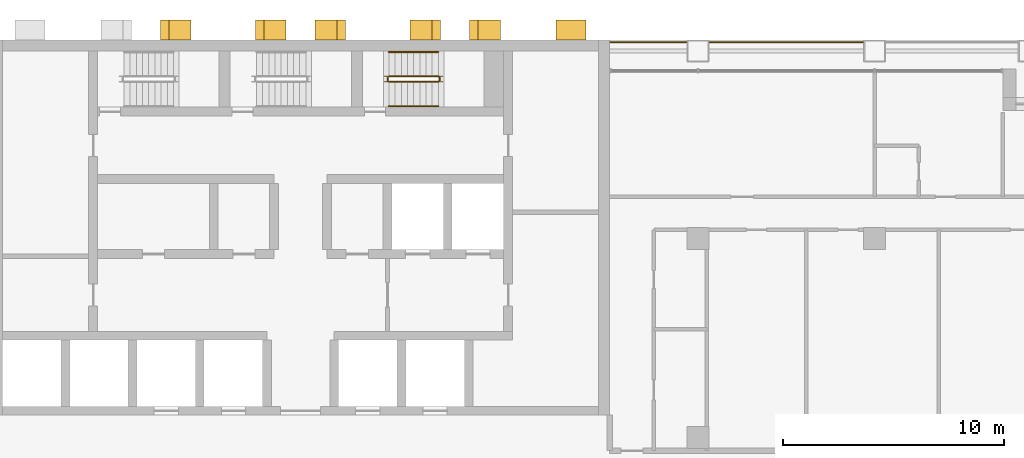
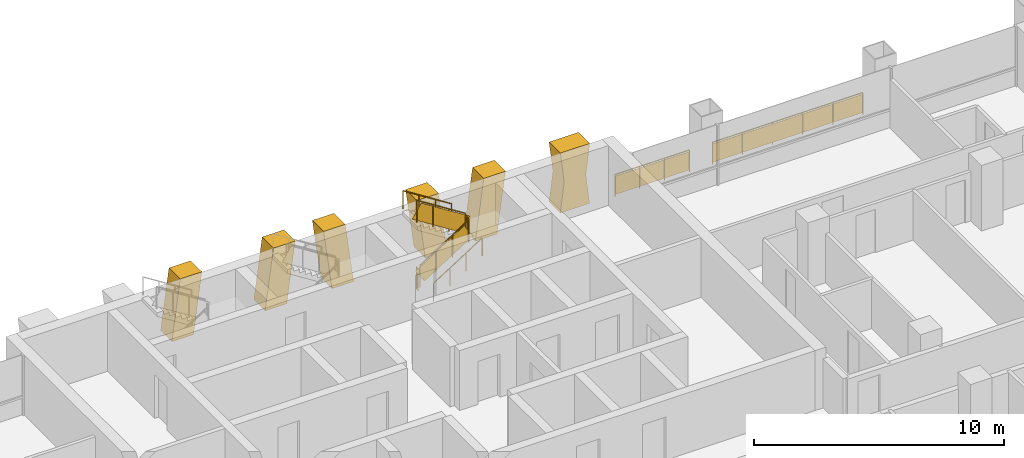
# One storey, part 17 of 18: 8 railings, 6 shading devices.
"""IFC4 building model written with IfcOpenShell, lengths in metres."""

from ifc_helpers import new_model, si_unit, direction, frame, origin, origin_2d, place, context, subcontext, project, spatial, polyline, rectangle, circle, outline, extrude, material, layer, layer_set, type_object, element, save


model = new_model("IFC4")

# Units and contexts
model_context = context("Model", 3, precision=1e-05, world=origin(), true_north=direction((0.0, 1.0)))
body_context = subcontext(model_context, "Body", "Model", "MODEL_VIEW")
ifc_project = project(units=[si_unit("LENGTHUNIT", "METRE"), si_unit("AREAUNIT", "SQUARE_METRE"), si_unit("VOLUMEUNIT", "CUBIC_METRE"), si_unit("PLANEANGLEUNIT", "RADIAN"), si_unit("MASSUNIT", "GRAM", prefix="KILO")], contexts=[model_context])

# Site, building, storey
site_placement = place(None, origin())
site = spatial("IfcSite", under=ifc_project, at=site_placement, CompositionType="ELEMENT")
building_placement = place(site_placement, origin())
building = spatial("IfcBuilding", under=site, at=building_placement, Name="Vidyagriha Tower", CompositionType="ELEMENT")
storey_placement = place(building_placement, frame((0.0, 0.0, 51.199951171875)))
storey = spatial("IfcBuildingStorey", under=building, at=storey_placement, Name="L13", CompositionType="ELEMENT", Elevation=51.199951171875)

# Shading devices
ifc_material_1 = material(Name="Precast concrete C40/50 with brick facing", Category="concrete")
ifc_layer_1 = layer(ifc_material_1, 1.0)
ifc_layer_set_1 = layer_set([ifc_layer_1], Name="Precast concrete C40/50 with brick facing")
shading_device_type_1 = type_object("IfcShadingDeviceType", Name="Brick-faced rear rib arm leaning 8 degrees", PredefinedType="USERDEFINED", material=ifc_layer_set_1)
shading_device_1_placement = place(storey_placement, frame((6.343017578125, 20.449951171875, 0.0), z_axis=(0.0, 0.0, 1.0), x_axis=(-1.0, 0.0, 0.0)))
element("IfcShadingDevice", 1, at=shading_device_1_placement, inside=storey, type_object=shading_device_type_1, Name="Rear rib arm L13 R08.2a", ObjectType="BLADE FIN", PredefinedType="USERDEFINED", context=body_context, shape_type="SweptSolid", body=[
    extrude(outline(polyline([(0.0, 0.0), (1.0, 0.0), (1.3857421875, 2.920166015625), (0.3857421875, 2.920166015625), (0.0, 0.0)])), frame((0.0, 0.449951171875, 0.0), z_axis=(0.0, -1.0, 0.0), x_axis=(1.0, 0.0, 0.0)), (0.0, 0.0, 1.0), 0.89990234375),
])
shading_device_2_placement = place(storey_placement, frame((9.04296875, 20.449951171875, 0.0), z_axis=(0.0, 0.0, 1.0), x_axis=(-1.0, 0.0, 0.0)))
element("IfcShadingDevice", 2, at=shading_device_2_placement, inside=storey, type_object=shading_device_type_1, Name="Rear rib arm L13 R08.2b", ObjectType="BLADE FIN", PredefinedType="USERDEFINED", context=body_context, shape_type="SweptSolid", body=[
    extrude(outline(polyline([(0.3857421875, 0.0), (1.3857421875, 0.0), (1.0, 2.920166015625), (0.0, 2.920166015625), (0.3857421875, 0.0)])), frame((0.0, 0.449951171875, 0.0), z_axis=(0.0, -1.0, 0.0), x_axis=(1.0, 0.0, 0.0)), (0.0, 0.0, 1.0), 0.89990234375),
])
shading_device_3_placement = place(storey_placement, frame((2.04296875, 20.449951171875, 0.0), z_axis=(0.0, 0.0, 1.0), x_axis=(-1.0, 0.0, 0.0)))
element("IfcShadingDevice", 3, at=shading_device_3_placement, inside=storey, type_object=shading_device_type_1, Name="Rear rib arm L13 R08.3a", ObjectType="BLADE FIN", PredefinedType="USERDEFINED", context=body_context, shape_type="SweptSolid", body=[
    extrude(outline(polyline([(0.0, 0.0), (1.0, 0.0), (1.3857421875, 2.920166015625), (0.3857421875, 2.920166015625), (0.0, 0.0)])), frame((0.0, 0.449951171875, 0.0), z_axis=(0.0, -1.0, 0.0), x_axis=(1.0, 0.0, 0.0)), (0.0, 0.0, 1.0), 0.89990234375),
])
for number, where, z_axis, x_axis, name in (
    (4, (-0.656982421875, 20.449951171875, 0.0), (0.0, 0.0, 1.0), (-1.0, 0.0, 0.0), "Rear rib arm L13 R08.3b"),
    (5, (-4.95703125, 20.449951171875, 0.0), (0.0, 0.0, 1.0), (-1.0, 0.0, 0.0), "Rear rib arm L13 R08.4b"),
):
    element("IfcShadingDevice", number, at=place(storey_placement, frame(where, z_axis=z_axis, x_axis=x_axis)), inside=storey, type_object=shading_device_type_1, Name=name, ObjectType="BLADE FIN", PredefinedType="USERDEFINED", context=body_context, shape_type="SweptSolid", body=[
        extrude(outline(polyline([(0.3857421875, 0.0), (1.3857421875, 0.0), (1.0, 2.920166015625), (0.0, 2.920166015625), (0.3857421875, 0.0)])), frame((0.0, 0.449951171875, 0.0), z_axis=(0.0, -1.0, 0.0), x_axis=(1.0, 0.0, 0.0)), (0.0, 0.0, 1.0), 0.89990234375),
    ])
ifc_material_2 = material(Name="Precast concrete C40/50 with brick facing", Category="concrete")
ifc_layer_2 = layer(ifc_material_2, 1.0)
ifc_layer_set_2 = layer_set([ifc_layer_2], Name="Precast concrete C40/50 with brick facing")
shading_device_type_2 = type_object("IfcShadingDeviceType", Name="Brick-faced rear rib forking 8 degrees", PredefinedType="USERDEFINED", material=ifc_layer_set_2)
shading_device_4_placement = place(storey_placement, frame((12.9287109375, 20.449951171875, 0.0), z_axis=(0.0, 0.0, 1.0), x_axis=(-1.0, 0.0, 0.0)))
element("IfcShadingDevice", 6, at=shading_device_4_placement, inside=storey, type_object=shading_device_type_2, Name="Rear rib fork L13 R08.1a", ObjectType="BLADE FIN", PredefinedType="USERDEFINED", context=body_context, shape_type="SweptSolid", body=[
    extrude(outline(polyline([(0.0, 0.0), (1.357177734375, 0.0), (1.1787109375, 1.4599609375), (1.357177734375, 2.920166015625), (0.0, 2.920166015625), (0.1787109375, 1.4599609375), (0.0, 0.0)])), frame((0.0, 0.449951171875, 0.0), z_axis=(0.0, -1.0, 0.0), x_axis=(1.0, 0.0, 0.0)), (0.0, 0.0, 1.0), 0.89990234375),
])

# Railings
ifc_material_3 = material(Name="Steel ASTM A500 Grade C black painted", Category="steel")
railing_type_1 = type_object("IfcRailingType", Name="Gallery guard 1100", PredefinedType="GUARDRAIL", material=ifc_material_3)
railing_1_placement = place(storey_placement, frame((14.030029296875, 19.89990234375, 0.0)))
element("IfcRailing", 7, at=railing_1_placement, inside=storey, type_object=railing_type_1, Name="Gallery guard L13 10", PredefinedType="GUARDRAIL", context=body_context, shape_type="SweptSolid", body=[
    extrude(circle(Radius=0.02490234375, at=origin_2d()), frame((0.0, 0.0, 1.0751953125), z_axis=(1.0, 0.0, 0.0), x_axis=(0.0, 1.0, 0.0)), (0.0, 0.0, 1.0), 3.43994140625),
    extrude(circle(Radius=0.02001953125, at=origin_2d()), origin(), (0.0, 0.0, 1.0), 1.050048828125),
    extrude(circle(Radius=0.02001953125, at=origin_2d()), frame((1.146728515625, 0.0, 0.0)), (0.0, 0.0, 1.0), 1.050048828125),
    extrude(circle(Radius=0.02001953125, at=origin_2d()), frame((2.293212890625, 0.0, 0.0)), (0.0, 0.0, 1.0), 1.050048828125),
    extrude(circle(Radius=0.02001953125, at=origin_2d()), frame((3.43994140625, 0.0, 0.0)), (0.0, 0.0, 1.0), 1.050048828125),
    extrude(rectangle(XDim=0.010009765625, YDim=0.900146484375, at=origin_2d()), frame((0.0, 0.0, 0.550048828125), z_axis=(1.0, 0.0, 0.0), x_axis=(0.0, 1.0, 0.0)), (0.0, 0.0, 1.0), 3.43994140625),
])
railing_2_placement = place(storey_placement, frame((18.530029296875, 19.89990234375, 0.0)))
element("IfcRailing", 8, at=railing_2_placement, inside=storey, type_object=railing_type_1, Name="Gallery guard L13 11", PredefinedType="GUARDRAIL", context=body_context, shape_type="SweptSolid", body=[
    extrude(circle(Radius=0.02490234375, at=origin_2d()), frame((0.0, 0.0, 1.0751953125), z_axis=(1.0, 0.0, 0.0), x_axis=(0.0, 1.0, 0.0)), (0.0, 0.0, 1.0), 6.93994140625),
    extrude(circle(Radius=0.02001953125, at=origin_2d()), origin(), (0.0, 0.0, 1.0), 1.050048828125),
    extrude(circle(Radius=0.02001953125, at=origin_2d()), frame((1.387939453125, 0.0, 0.0)), (0.0, 0.0, 1.0), 1.050048828125),
    extrude(circle(Radius=0.02001953125, at=origin_2d()), frame((2.77587890625, 0.0, 0.0)), (0.0, 0.0, 1.0), 1.050048828125),
    extrude(circle(Radius=0.02001953125, at=origin_2d()), frame((4.1640625, 0.0, 0.0)), (0.0, 0.0, 1.0), 1.050048828125),
    extrude(circle(Radius=0.02001953125, at=origin_2d()), frame((5.552001953125, 0.0, 0.0)), (0.0, 0.0, 1.0), 1.050048828125),
    extrude(circle(Radius=0.02001953125, at=origin_2d()), frame((6.93994140625, 0.0, 0.0)), (0.0, 0.0, 1.0), 1.050048828125),
    extrude(rectangle(XDim=0.010009765625, YDim=0.900146484375, at=origin_2d()), frame((0.0, 0.0, 0.550048828125), z_axis=(1.0, 0.0, 0.0), x_axis=(0.0, 1.0, 0.0)), (0.0, 0.0, 1.0), 6.93994140625),
])
ifc_material_4 = material(Name="Steel ASTM A500 Grade C", Category="steel")
railing_type_2 = type_object("IfcRailingType", Name="Stair guard 1100 mm, steel balustrade", PredefinedType="GUARDRAIL", material=ifc_material_4)
railing_3_placement = place(storey_placement, frame((4.0, 18.10009765625, 0.177734375)))
element("IfcRailing", 9, at=railing_3_placement, inside=storey, type_object=railing_type_2, Name="L13 ST3 stair guard 1", PredefinedType="GUARDRAIL", context=body_context, shape_type="SweptSolid", body=[
    extrude(circle(Radius=0.02392578125, at=origin_2d()), frame((0.0, 0.0, 1.076171875), z_axis=(0.84418770128, 0.0, 0.536047689118), x_axis=(0.0, 1.0, 0.0)), (0.0, 0.0, 1.0), 2.6533203125),
    extrude(circle(Radius=0.02099609375, at=origin_2d()), origin(), (0.0, 0.0, 1.0), 1.052001953125),
    extrude(circle(Radius=0.02099609375, at=origin_2d()), frame((0.74658203125, 0.0, 0.47412109375)), (0.0, 0.0, 1.0), 1.052001953125),
    extrude(circle(Radius=0.02099609375, at=origin_2d()), frame((1.493408203125, 0.0, 0.9482421875)), (0.0, 0.0, 1.0), 1.052001953125),
    extrude(circle(Radius=0.02099609375, at=origin_2d()), frame((2.239990234375, 0.0, 1.42236328125)), (0.0, 0.0, 1.0), 1.052001953125),
    extrude(rectangle(XDim=0.010009765625, YDim=0.761474609375, at=origin_2d()), frame((0.0, 0.0, 0.551025390625), z_axis=(0.84418770128, 0.0, 0.536047689118), x_axis=(0.0, 1.0, 0.0)), (0.0, 0.0, 1.0), 2.6533203125),
])
railing_4_placement = place(storey_placement, frame((6.2900390625, 18.14990234375, 1.60009765625)))
element("IfcRailing", 10, at=railing_4_placement, inside=storey, type_object=railing_type_2, Name="L13 ST3 stair guard 2", PredefinedType="GUARDRAIL", context=body_context, shape_type="SweptSolid", body=[
    extrude(circle(Radius=0.02392578125, at=origin_2d()), frame((0.0, 0.0, 1.076171875), z_axis=(0.0, 1.0, 0.0), x_axis=(-1.0, 0.0, 0.0)), (0.0, 0.0, 1.0), 0.150146484375),
    extrude(circle(Radius=0.02099609375, at=origin_2d()), origin(), (0.0, 0.0, 1.0), 1.052001953125),
    extrude(circle(Radius=0.02099609375, at=origin_2d()), frame((0.0, 0.150146484375, 0.0)), (0.0, 0.0, 1.0), 1.052001953125),
    extrude(rectangle(XDim=0.010009765625, YDim=0.902099609375, at=origin_2d()), frame((0.0, 0.0, 0.551025390625), z_axis=(0.0, 1.0, 0.0), x_axis=(-1.0, 0.0, 0.0)), (0.0, 0.0, 1.0), 0.150146484375),
])
railing_5_placement = place(storey_placement, frame((6.239990234375, 18.35009765625, 1.77783203125)))
element("IfcRailing", 11, at=railing_5_placement, inside=storey, type_object=railing_type_2, Name="L13 ST3 stair guard 3", PredefinedType="GUARDRAIL", context=body_context, shape_type="SweptSolid", body=[
    extrude(circle(Radius=0.02392578125, at=origin_2d()), frame((0.0, 0.0, 1.076171875), z_axis=(-0.8442293374, 0.0, 0.53598211339), x_axis=(0.0, -1.0, 0.0)), (0.0, 0.0, 1.0), 2.6533203125),
    extrude(circle(Radius=0.02099609375, at=origin_2d()), origin(), (0.0, 0.0, 1.0), 1.052001953125),
    extrude(circle(Radius=0.02099609375, at=origin_2d()), frame((-0.74658203125, 0.0, 0.47412109375)), (0.0, 0.0, 1.0), 1.052001953125),
    extrude(circle(Radius=0.02099609375, at=origin_2d()), frame((-1.493408203125, 0.0, 0.947998046875)), (0.0, 0.0, 1.0), 1.052001953125),
    extrude(circle(Radius=0.02099609375, at=origin_2d()), frame((-2.239990234375, 0.0, 1.422119140625)), (0.0, 0.0, 1.0), 1.052001953125),
    extrude(rectangle(XDim=0.010009765625, YDim=0.761474609375, at=origin_2d()), frame((0.0, 0.0, 0.551025390625), z_axis=(-0.8442293374, 0.0, 0.53598211339), x_axis=(0.0, -1.0, 0.0)), (0.0, 0.0, 1.0), 2.6533203125),
])
railing_6_placement = place(storey_placement, frame((3.949951171875, 18.14990234375, 0.0)))
element("IfcRailing", 12, at=railing_6_placement, inside=storey, type_object=railing_type_2, Name="L13 ST3 stair guard 4", PredefinedType="GUARDRAIL", context=body_context, shape_type="SweptSolid", body=[
    extrude(circle(Radius=0.02392578125, at=origin_2d()), frame((0.0, 0.0, 1.076171875), z_axis=(0.0, 1.0, 0.0), x_axis=(-1.0, 0.0, 0.0)), (0.0, 0.0, 1.0), 0.150146484375),
    extrude(circle(Radius=0.02099609375, at=origin_2d()), origin(), (0.0, 0.0, 1.0), 1.052001953125),
    extrude(circle(Radius=0.02099609375, at=origin_2d()), frame((0.0, 0.150146484375, 0.0)), (0.0, 0.0, 1.0), 1.052001953125),
    extrude(rectangle(XDim=0.010009765625, YDim=0.902099609375, at=origin_2d()), frame((0.0, 0.0, 0.551025390625), z_axis=(0.0, 1.0, 0.0), x_axis=(-1.0, 0.0, 0.0)), (0.0, 0.0, 1.0), 0.150146484375),
])
ifc_material_5 = material(Name="Steel ASTM A500 Grade C", Category="steel")
railing_type_3 = type_object("IfcRailingType", Name="Stair handrail 900 mm, steel", PredefinedType="HANDRAIL", material=ifc_material_5)
railing_7_placement = place(storey_placement, frame((4.0, 17.0, 0.177734375)))
element("IfcRailing", 13, at=railing_7_placement, inside=storey, type_object=railing_type_3, Name="L13 ST3 stair handrail 1", PredefinedType="HANDRAIL", context=body_context, shape_type="SweptSolid", body=[
    extrude(circle(Radius=0.02392578125, at=origin_2d()), frame((0.0, 0.0, 0.8759765625), z_axis=(0.84418770128, 0.0, 0.536047689118), x_axis=(0.0, 1.0, 0.0)), (0.0, 0.0, 1.0), 2.6533203125),
    extrude(circle(Radius=0.02099609375, at=origin_2d()), origin(), (0.0, 0.0, 1.0), 0.851806640625),
    extrude(circle(Radius=0.02099609375, at=origin_2d()), frame((0.74658203125, 0.0, 0.47412109375)), (0.0, 0.0, 1.0), 0.851806640625),
    extrude(circle(Radius=0.02099609375, at=origin_2d()), frame((1.493408203125, 0.0, 0.9482421875)), (0.0, 0.0, 1.0), 0.851806640625),
    extrude(circle(Radius=0.02099609375, at=origin_2d()), frame((2.239990234375, 0.0, 1.42236328125)), (0.0, 0.0, 1.0), 0.851806640625),
])
railing_8_placement = place(storey_placement, frame((6.239990234375, 19.449951171875, 1.77783203125)))
element("IfcRailing", 14, at=railing_8_placement, inside=storey, type_object=railing_type_3, Name="L13 ST3 stair handrail 2", PredefinedType="HANDRAIL", context=body_context, shape_type="SweptSolid", body=[
    extrude(circle(Radius=0.02392578125, at=origin_2d()), frame((0.0, 0.0, 0.8759765625), z_axis=(-0.8442293374, 0.0, 0.53598211339), x_axis=(0.0, -1.0, 0.0)), (0.0, 0.0, 1.0), 2.6533203125),
    extrude(circle(Radius=0.02099609375, at=origin_2d()), origin(), (0.0, 0.0, 1.0), 0.851806640625),
    extrude(circle(Radius=0.02099609375, at=origin_2d()), frame((-0.74658203125, 0.0, 0.47412109375)), (0.0, 0.0, 1.0), 0.851806640625),
    extrude(circle(Radius=0.02099609375, at=origin_2d()), frame((-1.493408203125, 0.0, 0.947998046875)), (0.0, 0.0, 1.0), 0.851806640625),
    extrude(circle(Radius=0.02099609375, at=origin_2d()), frame((-2.239990234375, 0.0, 1.422119140625)), (0.0, 0.0, 1.0), 0.851806640625),
])

save(model, "model.ifc")
